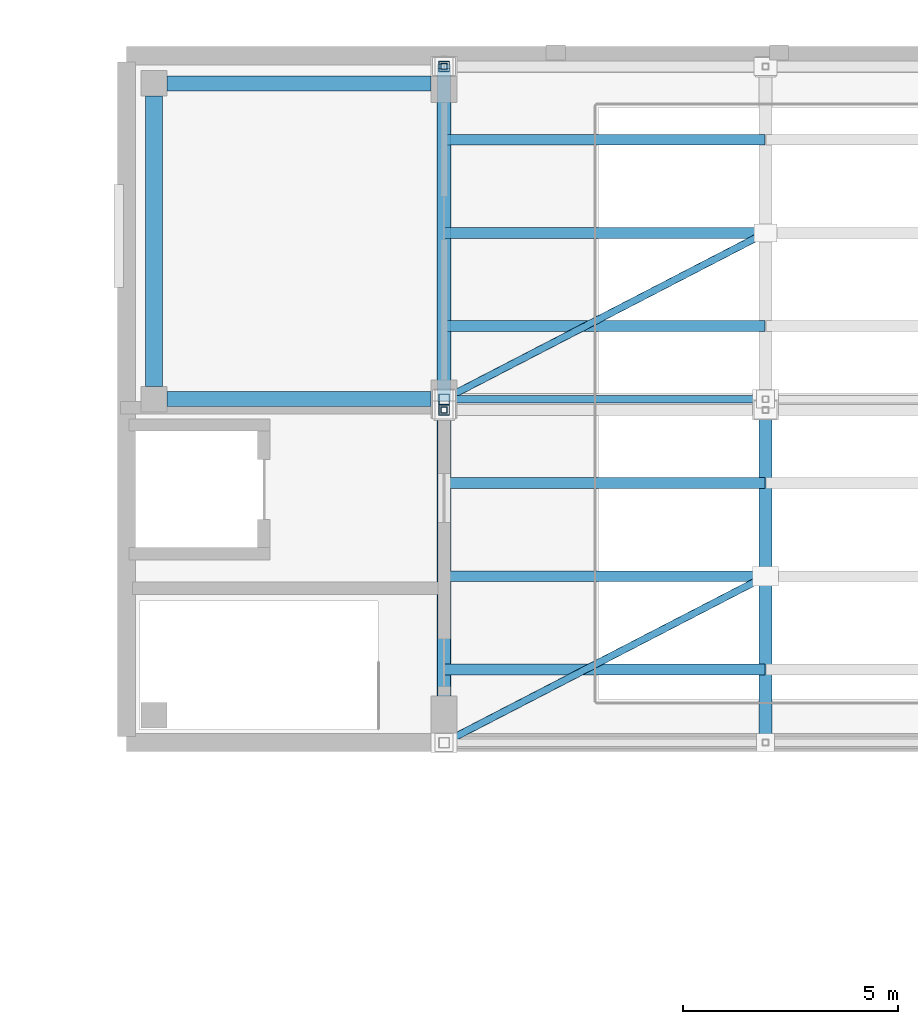
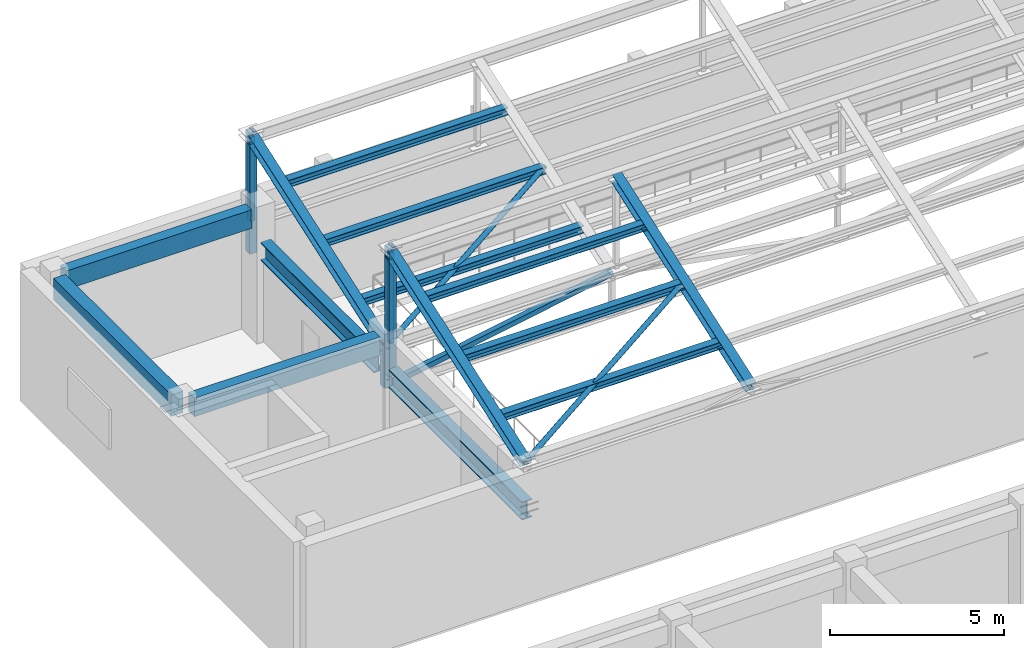
# One storey, part 24 of 76: 17 members, 5 beams.
"""IFC4 building model written with IfcOpenShell, lengths in metres."""

from ifc_helpers import new_model, si_unit, direction, frame, origin, origin_2d, place, context, subcontext, project, spatial, rectangle, hollow_rectangle, hollow_circle, i_section, extrude, material, material_profile, profile_set, type_object, element, save


model = new_model("IFC4")

# Units and contexts
model_context = context("Model", 3, precision=1e-05, world=origin(), true_north=direction((0.0, 1.0)))
body_context = subcontext(model_context, "Body", "Model", "MODEL_VIEW")
ifc_project = project(units=[si_unit("LENGTHUNIT", "METRE"), si_unit("AREAUNIT", "SQUARE_METRE"), si_unit("VOLUMEUNIT", "CUBIC_METRE"), si_unit("PLANEANGLEUNIT", "RADIAN"), si_unit("MASSUNIT", "GRAM", prefix="KILO")], contexts=[model_context])

# Site, building, storey
site_placement = place(None, origin())
site = spatial("IfcSite", under=ifc_project, at=site_placement, CompositionType="ELEMENT")
building_placement = place(site_placement, origin())
building = spatial("IfcBuilding", under=site, at=building_placement, Name="Cinchona Park Media Centre", CompositionType="ELEMENT")
storey_placement = place(building_placement, frame((0.0, 0.0, 15.60009765625)))
storey = spatial("IfcBuildingStorey", under=building, at=storey_placement, Name="L03", CompositionType="ELEMENT", Elevation=15.60009765625)

# Beams
ifc_material_1 = material(Name="Concrete C35/45", Category="concrete")
ifc_material_profile_1 = material_profile(ifc_material_1, rectangle(XDim=0.39990234375, YDim=0.75, at=origin_2d()), Name="RB 400X750")
ifc_profile_set_1 = profile_set([ifc_material_profile_1], Name="Concrete C35/45")
beam_type_1 = type_object("IfcBeamType", Name="BEAM-B01-RB400X750", PredefinedType="BEAM", material=ifc_profile_set_1)
beam_1_placement = place(storey_placement, frame((8.639892578125, 110.300048828125, 4.179931640625), z_axis=(0.0, 1.0, 0.0), x_axis=(-1.0, 0.0, 0.0)))
element("IfcBeam", 1, at=beam_1_placement, inside=storey, type_object=beam_type_1, Name="Girder B01 L03", PredefinedType="BEAM", context=body_context, shape_type="SweptSolid", body=[
    extrude(rectangle(XDim=0.39990234375, YDim=0.75, at=origin_2d()), origin(), (0.0, 0.0, 1.0), 6.760009765625),
])
ifc_material_2 = material(Name="Concrete C35/45", Category="concrete")
ifc_material_profile_2 = material_profile(ifc_material_2, rectangle(XDim=0.35009765625, YDim=0.64990234375, at=origin_2d()), Name="RB 350X650")
ifc_profile_set_2 = profile_set([ifc_material_profile_2], Name="Concrete C35/45")
beam_type_2 = type_object("IfcBeamType", Name="BEAM-B04-RB350X650", PredefinedType="BEAM", material=ifc_profile_set_2)
for number, where, z_axis, x_axis, name in (
    (2, (8.93994140625, 110.0, 4.22998046875), (1.0, 0.0, 0.0), (0.0, 1.0, 0.0), "Beam B04 L03"),
    (3, (8.93994140625, 117.360107421875, 4.22998046875), (1.0, 0.0, 0.0), (0.0, 1.0, 0.0), "Beam B04 L03"),
):
    element("IfcBeam", number, at=place(storey_placement, frame(where, z_axis=z_axis, x_axis=x_axis)), inside=storey, type_object=beam_type_2, Name=name, PredefinedType="BEAM", context=body_context, shape_type="SweptSolid", body=[
        extrude(rectangle(XDim=0.35009765625, YDim=0.64990234375, at=origin_2d()), origin(), (0.0, 0.0, 1.0), 6.16015625),
    ])
ifc_material_3 = material(Name="Steel S355", Category="steel")
ifc_material_profile_3 = material_profile(ifc_material_3, i_section(OverallWidth=0.3291015625, OverallDepth=0.635009765625, WebThickness=0.017822265625, FlangeThickness=0.031005859375, at=origin_2d()), Name="W610X241")
ifc_profile_set_3 = profile_set([ifc_material_profile_3], Name="Steel S355")
beam_type_3 = type_object("IfcBeamType", Name="BEAM-B05-W610X241", PredefinedType="BEAM", material=ifc_profile_set_3)
beam_2_placement = place(storey_placement, frame((15.39990234375, 101.89990234375, 3.199951171875), z_axis=(0.0, 1.0, 0.0), x_axis=(-1.0, 0.0, 0.0)))
element("IfcBeam", 4, at=beam_2_placement, inside=storey, type_object=beam_type_3, Name="Sawtooth Valley Edge Girder B05 V2", PredefinedType="BEAM", context=body_context, shape_type="SweptSolid", body=[
    extrude(i_section(OverallWidth=0.3291015625, OverallDepth=0.635009765625, WebThickness=0.017822265625, FlangeThickness=0.031005859375, at=origin_2d()), origin(), (0.0, 0.0, 1.0), 7.68017578125),
])
beam_3_placement = place(storey_placement, frame((15.39990234375, 110.419921875, 3.199951171875), z_axis=(0.0, 1.0, 0.0), x_axis=(-1.0, 0.0, 0.0)))
element("IfcBeam", 5, at=beam_3_placement, inside=storey, type_object=beam_type_3, Name="Sawtooth Valley Edge Girder B05 V2", PredefinedType="BEAM", context=body_context, shape_type="SweptSolid", body=[
    extrude(i_section(OverallWidth=0.3291015625, OverallDepth=0.635009765625, WebThickness=0.017822265625, FlangeThickness=0.031005859375, at=origin_2d()), origin(), (0.0, 0.0, 1.0), 6.52001953125),
])

# Members
ifc_material_4 = material(Name="Steel S355", Category="steel")
ifc_material_profile_4 = material_profile(ifc_material_4, hollow_circle(Radius=0.084228515625, WallThickness=0.010009765625, at=origin_2d()), Name="168.3X10CHS")
ifc_profile_set_4 = profile_set([ifc_material_profile_4], Name="Steel S355")
member_type_1 = type_object("IfcMemberType", Name="MEMBER-BR03-CHS168.3X10", PredefinedType="BRACE", material=ifc_profile_set_4)
for number, where, z_axis, x_axis, name in (
    (6, (15.39990234375, 102.0, 4.7998046875), (0.877007498883, 0.453726100012, 0.158083753343), (-0.459504038406, 0.888175680082, 0.0), "Sawtooth Roof Wind Brace V2 Bay 1"),
    (7, (15.39990234375, 110.0, 4.0), (0.877011461812, 0.453728150262, 0.158055880973), (-0.459504038406, 0.888175680082, 0.0), "Sawtooth Roof Wind Brace V2 Bay 2"),
):
    element("IfcMember", number, at=place(storey_placement, frame(where, z_axis=z_axis, x_axis=x_axis)), inside=storey, type_object=member_type_1, Name=name, PredefinedType="BRACE", context=body_context, shape_type="SweptSolid", body=[
        extrude(hollow_circle(Radius=0.084228515625, WallThickness=0.010009765625, at=origin_2d()), origin(), (0.0, 0.0, 1.0), 8.540283203125),
    ])
ifc_material_5 = material(Name="Steel S355", Category="steel")
ifc_material_profile_5 = material_profile(ifc_material_5, i_section(OverallWidth=0.25390625, OverallDepth=0.2529296875, WebThickness=0.008544921875, FlangeThickness=0.01416015625, at=origin_2d()), Name="W250X73")
ifc_profile_set_5 = profile_set([ifc_material_profile_5], Name="Steel S355")
member_type_2 = type_object("IfcMemberType", Name="MEMBER-PR02-W250X73", PredefinedType="PURLIN", material=ifc_profile_set_5)
for number, where, z_axis, x_axis, name in (
    (8, (15.409912109375, 103.705078125, 5.33740234375), (1.0, 0.0, 0.0), (0.0, 1.0, 0.0), "Sawtooth Roof Purlin PR02"),
    (9, (15.409912109375, 105.875, 6.093505859375), (1.0, 0.0, 0.0), (0.0, 1.0, 0.0), "Sawtooth Roof Purlin PR02"),
    (10, (15.409912109375, 108.044921875, 6.849365234375), (1.0, 0.0, 0.0), (0.0, 1.0, 0.0), "Sawtooth Roof Purlin PR02"),
    (11, (15.409912109375, 111.705078125, 4.537353515625), (1.0, 0.0, 0.0), (0.0, 1.0, 0.0), "Sawtooth Roof Purlin PR02"),
    (12, (15.409912109375, 113.875, 5.29345703125), (1.0, 0.0, 0.0), (0.0, 1.0, 0.0), "Sawtooth Roof Purlin PR02"),
    (13, (15.409912109375, 116.044921875, 6.04931640625), (1.0, 0.0, 0.0), (0.0, 1.0, 0.0), "Sawtooth Roof Purlin PR02"),
):
    element("IfcMember", number, at=place(storey_placement, frame(where, z_axis=z_axis, x_axis=x_axis)), inside=storey, type_object=member_type_2, Name=name, PredefinedType="PURLIN", context=body_context, shape_type="SweptSolid", body=[
        extrude(i_section(OverallWidth=0.25390625, OverallDepth=0.2529296875, WebThickness=0.008544921875, FlangeThickness=0.01416015625, at=origin_2d()), origin(), (0.0, 0.0, 1.0), 7.469970703125),
    ])
ifc_material_6 = material(Name="Steel S355", Category="steel")
ifc_material_profile_6 = material_profile(ifc_material_6, hollow_rectangle(XDim=0.25, YDim=0.25, WallThickness=0.01611328125, at=origin_2d()), Name="250X250X16SHS")
ifc_profile_set_6 = profile_set([ifc_material_profile_6], Name="Steel S355")
member_type_3 = type_object("IfcMemberType", Name="MEMBER-TS02-SHS250X250X16", PredefinedType="STRUT", material=ifc_profile_set_6)
member_1_placement = place(storey_placement, frame((15.39990234375, 109.75, 3.199951171875), z_axis=(0.0, 0.0, 1.0), x_axis=(1.0, 0.0, 0.0)))
element("IfcMember", 14, at=member_1_placement, inside=storey, type_object=member_type_3, Name="Sawtooth Bearing Post TS02 V2 B1", PredefinedType="STRUT", context=body_context, shape_type="SweptSolid", body=[
    extrude(hollow_rectangle(XDim=0.25, YDim=0.25, WallThickness=0.01611328125, at=origin_2d()), origin(), (0.0, 0.0, 1.0), 4.489990234375),
])
member_2_placement = place(storey_placement, frame((15.39990234375, 110.0, 2.64990234375), z_axis=(0.0, 0.0, 1.0), x_axis=(1.0, 0.0, 0.0)))
element("IfcMember", 15, at=member_2_placement, inside=storey, type_object=member_type_3, Name="Sawtooth Bearing Post TS02 V2 B2", PredefinedType="STRUT", context=body_context, shape_type="SweptSolid", body=[
    extrude(hollow_rectangle(XDim=0.25, YDim=0.25, WallThickness=0.01611328125, at=origin_2d()), origin(), (0.0, 0.0, 1.0), 1.5400390625),
])
member_3_placement = place(storey_placement, frame((15.39990234375, 117.75, 2.64990234375), z_axis=(0.0, 0.0, 1.0), x_axis=(1.0, 0.0, 0.0)))
element("IfcMember", 16, at=member_3_placement, inside=storey, type_object=member_type_3, Name="Sawtooth Bearing Post TS02 V2 B2", PredefinedType="STRUT", context=body_context, shape_type="SweptSolid", body=[
    extrude(hollow_rectangle(XDim=0.25, YDim=0.25, WallThickness=0.01611328125, at=origin_2d()), origin(), (0.0, 0.0, 1.0), 4.239990234375),
])
ifc_material_7 = material(Name="Steel S355", Category="steel")
ifc_material_profile_7 = material_profile(ifc_material_7, hollow_rectangle(XDim=0.14990234375, YDim=0.14990234375, WallThickness=0.010009765625, at=origin_2d()), Name="150X150X10SHS")
ifc_profile_set_7 = profile_set([ifc_material_profile_7], Name="Steel S355")
member_type_4 = type_object("IfcMemberType", Name="MEMBER-TS03-SHS150X150X10", PredefinedType="STRUT", material=ifc_profile_set_7)
member_4_placement = place(storey_placement, frame((15.39990234375, 109.75, 4.2998046875), z_axis=(0.0, 0.0, 1.0), x_axis=(1.0, 0.0, 0.0)))
element("IfcMember", 17, at=member_4_placement, inside=storey, type_object=member_type_4, Name="ROOF TRUSS Monitor Post V2 Bay 1", PredefinedType="STRUT", context=body_context, shape_type="SweptSolid", body=[
    extrude(hollow_rectangle(XDim=0.14990234375, YDim=0.14990234375, WallThickness=0.010009765625, at=origin_2d()), origin(), (0.0, 0.0, 1.0), 3.2001953125),
])
member_5_placement = place(storey_placement, frame((15.39990234375, 117.75, 3.75), z_axis=(0.0, 0.0, 1.0), x_axis=(1.0, 0.0, 0.0)))
element("IfcMember", 18, at=member_5_placement, inside=storey, type_object=member_type_4, Name="ROOF TRUSS Monitor Post V2 Bay 2", PredefinedType="STRUT", context=body_context, shape_type="SweptSolid", body=[
    extrude(hollow_rectangle(XDim=0.14990234375, YDim=0.14990234375, WallThickness=0.010009765625, at=origin_2d()), origin(), (0.0, 0.0, 1.0), 2.949951171875),
])
ifc_material_8 = material(Name="Steel S355", Category="steel")
ifc_material_profile_8 = material_profile(ifc_material_8, hollow_rectangle(XDim=0.179931640625, YDim=0.179931640625, WallThickness=0.012451171875, at=origin_2d()), Name="180X180X12.5SHS")
ifc_profile_set_8 = profile_set([ifc_material_profile_8], Name="Steel S355")
member_type_5 = type_object("IfcMemberType", Name="MEMBER-TS04-SHS180X180X12.5", PredefinedType="STRUT", material=ifc_profile_set_8)
member_6_placement = place(storey_placement, frame((15.39990234375, 110.0, 2.64990234375), z_axis=(0.984139781218, 0.0, 0.177394732232), x_axis=(0.0, 1.0, 0.0)))
element("IfcMember", 19, at=member_6_placement, inside=storey, type_object=member_type_5, Name="ROOF TRUSS Web Diagonal TN1", PredefinedType="STRUT", context=body_context, shape_type="SweptSolid", body=[
    extrude(hollow_rectangle(XDim=0.179931640625, YDim=0.179931640625, WallThickness=0.012451171875, at=origin_2d()), origin(), (0.0, 0.0, 1.0), 7.610595703125),
])
ifc_material_9 = material(Name="Steel S355", Category="steel")
ifc_material_profile_9 = material_profile(ifc_material_9, i_section(OverallWidth=0.304931640625, OverallDepth=0.30810546875, WebThickness=0.010009765625, FlangeThickness=0.015380859375, at=origin_2d()), Name="W310X97")
ifc_profile_set_9 = profile_set([ifc_material_profile_9], Name="Steel S355")
member_type_6 = type_object("IfcMemberType", Name="MEMBER-TS06-W310X97", PredefinedType="STRUT", material=ifc_profile_set_9)
for number, where, z_axis, x_axis, name in (
    (20, (15.39990234375, 102.0, 4.7998046875), (0.0, 0.944324900954, 0.329014409165), (-1.0, 0.0, 0.0), "ROOF TRUSS Sawtooth Rafter V2 Bay 1"),
    (21, (22.889892578125, 102.0, 4.7998046875), (0.0, 0.944324900954, 0.329014409165), (-1.0, 0.0, 0.0), "ROOF TRUSS Sawtooth Rafter V2 Bay 1"),
):
    element("IfcMember", number, at=place(storey_placement, frame(where, z_axis=z_axis, x_axis=x_axis)), inside=storey, type_object=member_type_6, Name=name, PredefinedType="STRUT", context=body_context, shape_type="SweptSolid", body=[
        extrude(i_section(OverallWidth=0.304931640625, OverallDepth=0.30810546875, WebThickness=0.010009765625, FlangeThickness=0.015380859375, at=origin_2d()), origin(), (0.0, 0.0, 1.0), 8.20703125),
    ])
member_7_placement = place(storey_placement, frame((15.39990234375, 110.0, 4.0), z_axis=(0.0, 0.944334143314, 0.328987880888), x_axis=(-1.0, 0.0, 0.0)))
element("IfcMember", 22, at=member_7_placement, inside=storey, type_object=member_type_6, Name="ROOF TRUSS Sawtooth Rafter V2 Bay 2", PredefinedType="STRUT", context=body_context, shape_type="SweptSolid", body=[
    extrude(i_section(OverallWidth=0.304931640625, OverallDepth=0.30810546875, WebThickness=0.010009765625, FlangeThickness=0.015380859375, at=origin_2d()), origin(), (0.0, 0.0, 1.0), 8.206787109375),
])

save(model, "model.ifc")
